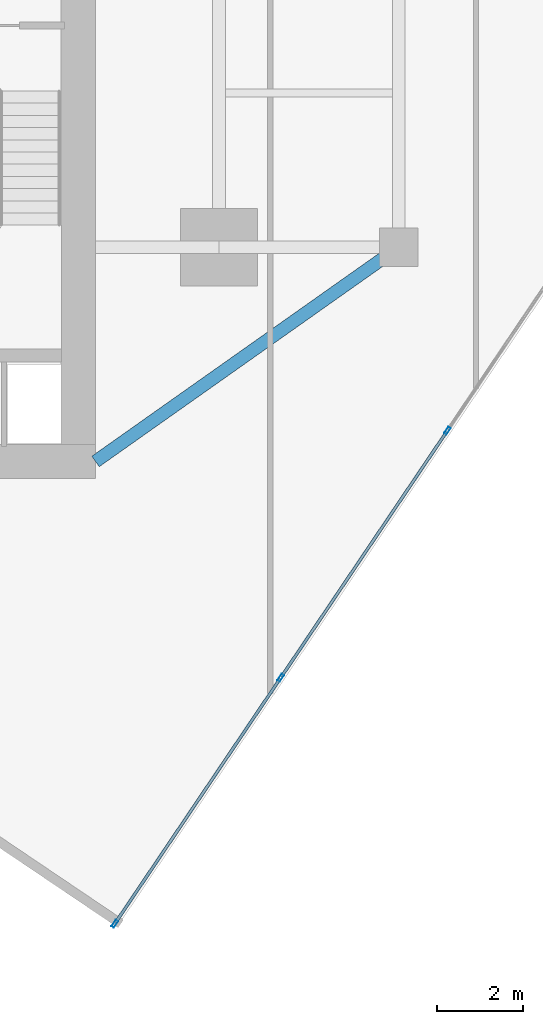
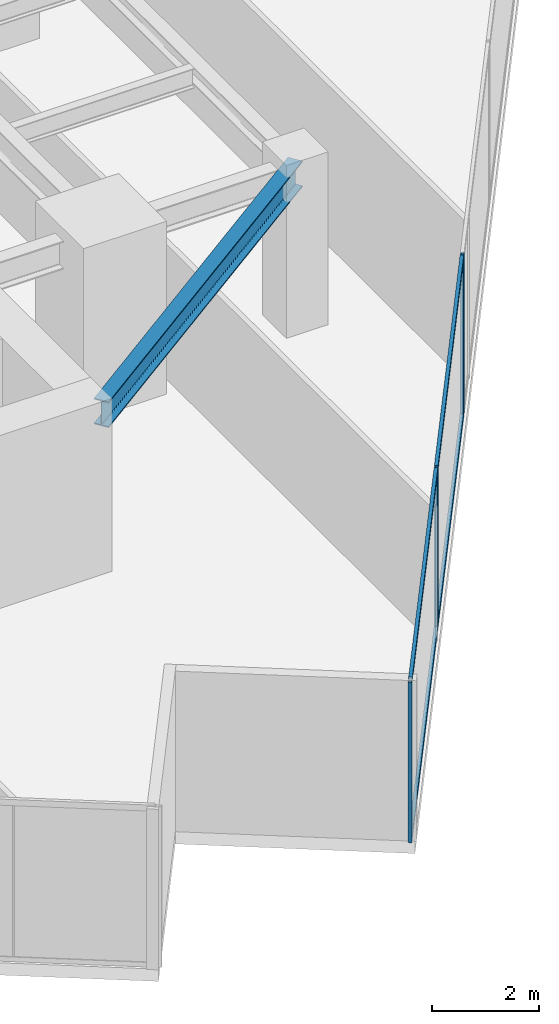
# One storey, part 9 of 27: 7 members, 1 beam, 1 element without a shape of its own.
"""IFC4 building model written with IfcOpenShell, lengths in metres."""

from ifc_helpers import new_model, si_unit, direction, frame, origin, origin_2d, place, context, subcontext, project, spatial, hollow_rectangle, i_section, extrude, source, transform, mapped, material, material_profile, profile_set, type_object, type_shapes, element, aggregate, save


model = new_model("IFC4")

# Units and contexts
model_context = context("Model", 3, precision=1e-05, world=origin(), true_north=direction((0.0, 1.0)))
body_context = subcontext(model_context, "Body", "Model", "MODEL_VIEW")
ifc_project = project(units=[si_unit("LENGTHUNIT", "METRE"), si_unit("AREAUNIT", "SQUARE_METRE"), si_unit("VOLUMEUNIT", "CUBIC_METRE"), si_unit("PLANEANGLEUNIT", "RADIAN"), si_unit("MASSUNIT", "GRAM", prefix="KILO")], contexts=[model_context])

# Site, building, storey
site_placement = place(None, origin())
site = spatial("IfcSite", under=ifc_project, at=site_placement, CompositionType="ELEMENT")
building_placement = place(site_placement, origin())
building = spatial("IfcBuilding", under=site, at=building_placement, Name="Krantzveldt Concourse Tower", CompositionType="ELEMENT")
storey_placement = place(building_placement, frame((0.0, 0.0, 189.64990234375)))
storey = spatial("IfcBuildingStorey", under=building, at=storey_placement, Name="L46", CompositionType="ELEMENT", Elevation=189.64990234375)

# Beam
ifc_material_1 = material(Name="Steel S355JR", Category="steel")
ifc_material_profile_1 = material_profile(ifc_material_1, i_section(OverallWidth=0.300048828125, OverallDepth=0.590087890625, WebThickness=0.012939453125, FlangeThickness=0.02490234375, FilletRadius=0.027099609375, at=origin_2d()), Name="Steel S355JR", Category="steel")
ifc_profile_set_1 = profile_set([ifc_material_profile_1], Name="Steel S355JR - HEA 600")
beam_type = type_object("IfcBeamType", Name="BM-B-HEA600", PredefinedType="BEAM", material=ifc_profile_set_1)
shared_shape_1 = source(origin(), body_context, "Body", "SweptSolid", [
    extrude(i_section(OverallWidth=0.300048828125, OverallDepth=0.590087890625, WebThickness=0.012939453125, FlangeThickness=0.02490234375, FilletRadius=0.027099609375, at=origin_2d()), origin(), (0.0, 0.0, 1.0), 8.667724609375),
])
type_shapes(beam_type, [shared_shape_1])
beam_placement = place(storey_placement, frame((51.0, 15.89990234375, 3.375), z_axis=(-0.81684294656, -0.576860122261, 0.0), x_axis=(0.576860122261, -0.81684294656, 0.0)))
element("IfcBeam", 1, at=beam_placement, inside=storey, type_object=beam_type, Name="L46 Tower Girder BR-CSE", PredefinedType="BEAM", context=body_context, shape_type="MappedRepresentation", body=[
    mapped(shared_shape_1, transform((0.0, 0.0, 0.0), x_axis=(1.0, 0.0, 0.0), y_axis=(0.0, 1.0, 0.0), z_axis=(0.0, 0.0, 1.0), scale=1.0)),
])

# Curtain wall, members
ifc_material_2 = material(Name="Anodised aluminium 6063-T6", Category="aluminium")
curtain_wall_type = type_object("IfcCurtainWallType", Name="CW3", PredefinedType="USERDEFINED", material=ifc_material_2)
curtain_wall_placement = place(storey_placement, origin())
curtain_wall = element("IfcCurtainWall", 2, at=curtain_wall_placement, inside=storey, type_object=curtain_wall_type, Name="CW-L46-F07", ObjectType="UNITISED CURTAIN WALL", PredefinedType="USERDEFINED")
ifc_material_profile_2 = material_profile(ifc_material_2, hollow_rectangle(XDim=0.070068359375, YDim=0.179931640625, WallThickness=0.0048828125, at=origin_2d()), Name="Anodised aluminium 6063-T6", Category="aluminium")
ifc_profile_set_2 = profile_set([ifc_material_profile_2], Name="Anodised aluminium 6063-T6 - ALU-MULL 180x70x5")
member_type_1 = type_object("IfcMemberType", Name="CW-MUL-180", PredefinedType="MULLION", material=ifc_profile_set_2)
shared_shape_2 = source(origin(), body_context, "Body", "SweptSolid", [
    extrude(hollow_rectangle(XDim=0.070068359375, YDim=0.179931640625, WallThickness=0.0048828125, at=origin_2d()), origin(), (0.0, 0.0, 1.0), 3.670166015625),
])
type_shapes(member_type_1, [shared_shape_2])
member_1_placement = place(storey_placement, frame((44.370849609375, 0.107666015625, 0.0), z_axis=(0.0, 0.0, 1.0), x_axis=(-0.829037635301, 0.559192810447, 0.0)))
member_1 = element("IfcMember", 3, at=member_1_placement, type_object=member_type_1, Name="CW-Z34 mullion 1", PredefinedType="MULLION", context=body_context, shape_type="MappedRepresentation", body=[
    mapped(shared_shape_2, transform((0.0, 0.0, 0.0), x_axis=(1.0, 0.0, 0.0), y_axis=(0.0, 1.0, 0.0), z_axis=(0.0, 0.0, 1.0), scale=1.0)),
])
member_2_placement = place(storey_placement, frame((48.243408203125, 5.848876953125, 0.0), z_axis=(0.0, 0.0, 1.0), x_axis=(-0.829037635301, 0.559192810447, 0.0)))
member_2 = element("IfcMember", 4, at=member_2_placement, type_object=member_type_1, Name="CW-Z34 mullion 2", PredefinedType="MULLION", context=body_context, shape_type="MappedRepresentation", body=[
    mapped(shared_shape_2, transform((0.0, 0.0, 0.0), x_axis=(1.0, 0.0, 0.0), y_axis=(0.0, 1.0, 0.0), z_axis=(0.0, 0.0, 1.0), scale=1.0)),
])
member_3_placement = place(storey_placement, frame((52.13525390625, 11.618896484375, 0.0), z_axis=(0.0, 0.0, 1.0), x_axis=(-0.829037635301, 0.559192810447, 0.0)))
member_3 = element("IfcMember", 5, at=member_3_placement, type_object=member_type_1, Name="CW-Z34 mullion 3", PredefinedType="MULLION", context=body_context, shape_type="MappedRepresentation", body=[
    mapped(shared_shape_2, transform((0.0, 0.0, 0.0), x_axis=(1.0, 0.0, 0.0), y_axis=(0.0, 1.0, 0.0), z_axis=(0.0, 0.0, 1.0), scale=1.0)),
])
ifc_material_profile_3 = material_profile(ifc_material_2, hollow_rectangle(XDim=0.070068359375, YDim=0.139892578125, WallThickness=0.0048828125, at=origin_2d()), Name="Anodised aluminium 6063-T6", Category="aluminium")
ifc_profile_set_3 = profile_set([ifc_material_profile_3], Name="Anodised aluminium 6063-T6 - ALU-TRAN 140x70x5")
member_type_2 = type_object("IfcMemberType", Name="CW-TRN-150", PredefinedType="USERDEFINED", material=ifc_profile_set_3)
shared_shape_3 = source(origin(), body_context, "Body", "SweptSolid", [
    extrude(hollow_rectangle(XDim=0.070068359375, YDim=0.139892578125, WallThickness=0.0048828125, at=origin_2d()), origin(), (0.0, 0.0, 1.0), 6.85498046875),
])
member_4_placement = place(storey_placement, frame((44.390625, 0.13671875, 0.03515625), z_axis=(0.559187781281, 0.829041027493, 0.0), x_axis=(-0.829041027493, 0.559187781281, 0.0)))
member_4 = element("IfcMember", 6, at=member_4_placement, type_object=member_type_2, Name="CW-Z34 transom 1.1", ObjectType="TRANSOM", PredefinedType="USERDEFINED", context=body_context, shape_type="MappedRepresentation", body=[
    mapped(shared_shape_3, transform((0.0, 0.0, 0.0), x_axis=(1.0, 0.0, 0.0), y_axis=(0.0, 1.0, 0.0), z_axis=(0.0, 0.0, 1.0), scale=1.0)),
])
member_5_placement = place(storey_placement, frame((44.390625, 0.13671875, 3.635009765625), z_axis=(0.559187781281, 0.829041027493, 0.0), x_axis=(-0.829041027493, 0.559187781281, 0.0)))
member_5 = element("IfcMember", 7, at=member_5_placement, type_object=member_type_2, Name="CW-Z34 transom 1.2", ObjectType="TRANSOM", PredefinedType="USERDEFINED", context=body_context, shape_type="MappedRepresentation", body=[
    mapped(shared_shape_3, transform((0.0, 0.0, 0.0), x_axis=(1.0, 0.0, 0.0), y_axis=(0.0, 1.0, 0.0), z_axis=(0.0, 0.0, 1.0), scale=1.0)),
])
shared_shape_4 = source(origin(), body_context, "Body", "SweptSolid", [
    extrude(hollow_rectangle(XDim=0.070068359375, YDim=0.139892578125, WallThickness=0.0048828125, at=origin_2d()), origin(), (0.0, 0.0, 1.0), 6.889892578125),
])
type_shapes(member_type_2, [shared_shape_3, shared_shape_4])
member_6_placement = place(storey_placement, frame((48.262939453125, 5.8779296875, 0.03515625), z_axis=(0.559197743675, 0.829034307776, 0.0), x_axis=(-0.829034307776, 0.559197743675, 0.0)))
member_6 = element("IfcMember", 8, at=member_6_placement, type_object=member_type_2, Name="CW-Z34 transom 2.1", ObjectType="TRANSOM", PredefinedType="USERDEFINED", context=body_context, shape_type="MappedRepresentation", body=[
    mapped(shared_shape_4, transform((0.0, 0.0, 0.0), x_axis=(1.0, 0.0, 0.0), y_axis=(0.0, 1.0, 0.0), z_axis=(0.0, 0.0, 1.0), scale=1.0)),
])
member_7_placement = place(storey_placement, frame((48.262939453125, 5.8779296875, 3.635009765625), z_axis=(0.559197743675, 0.829034307776, 0.0), x_axis=(-0.829034307776, 0.559197743675, 0.0)))
member_7 = element("IfcMember", 9, at=member_7_placement, type_object=member_type_2, Name="CW-Z34 transom 2.2", ObjectType="TRANSOM", PredefinedType="USERDEFINED", context=body_context, shape_type="MappedRepresentation", body=[
    mapped(shared_shape_4, transform((0.0, 0.0, 0.0), x_axis=(1.0, 0.0, 0.0), y_axis=(0.0, 1.0, 0.0), z_axis=(0.0, 0.0, 1.0), scale=1.0)),
])
aggregate(curtain_wall, [member_1, member_2, member_3, member_4, member_5, member_6, member_7])

save(model, "model.ifc")
